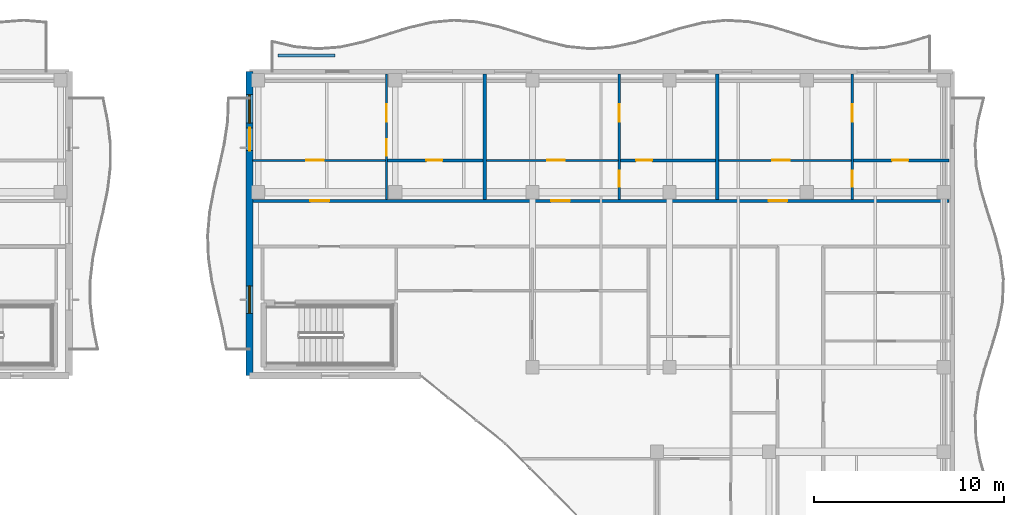
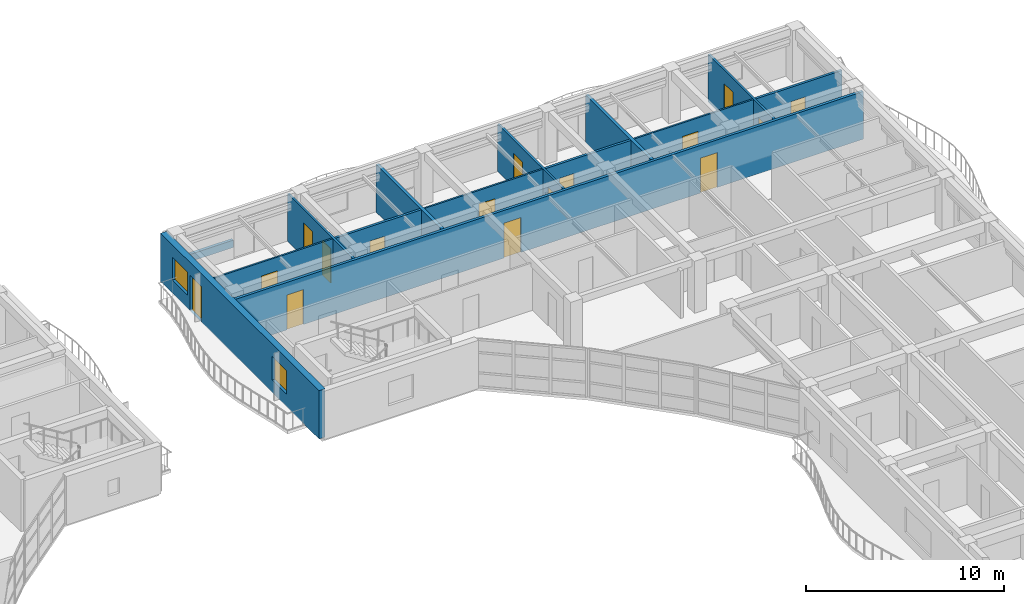
# One storey, part 62 of 89: 16 doors, 14 walls, 2 windows, 18 openings.
"""IFC4 building model written with IfcOpenShell, lengths in metres."""

from ifc_helpers import new_model, si_unit, direction, frame, frame_2d, origin, place, context, subcontext, project, spatial, rectangle, extrude, material, layer, layer_set, type_object, element, fill, save


model = new_model("IFC4")

# Units and contexts
model_context = context("Model", 3, precision=1e-05, world=origin(), true_north=direction((0.0, 1.0)))
body_context = subcontext(model_context, "Body", "Model", "MODEL_VIEW")
ifc_project = project(units=[si_unit("LENGTHUNIT", "METRE"), si_unit("AREAUNIT", "SQUARE_METRE"), si_unit("VOLUMEUNIT", "CUBIC_METRE"), si_unit("PLANEANGLEUNIT", "RADIAN"), si_unit("MASSUNIT", "GRAM", prefix="KILO")], contexts=[model_context])

# Site, building, storey
site_placement = place(None, origin())
site = spatial("IfcSite", under=ifc_project, at=site_placement, CompositionType="ELEMENT")
building_placement = place(site_placement, origin())
building = spatial("IfcBuilding", under=site, at=building_placement, Name="Keldmere Railside Commons", CompositionType="ELEMENT")
storey_placement = place(building_placement, frame((0.0, 0.0, 7.360107421875)))
storey = spatial("IfcBuildingStorey", under=building, at=storey_placement, Name="L02", CompositionType="ELEMENT", Elevation=7.360107421875)

# Walls
ifc_material_1 = material(Name="Acoustic Gypsum Board Partition", Category="gypsum")
ifc_layer_1 = layer(ifc_material_1, 0.179931640625, Name="Acoustic Demising Partition 180")
ifc_layer_set_1 = layer_set([ifc_layer_1], Name="Acoustic Gypsum Board Partition")
wall_type_1 = type_object("IfcWallType", Name="Acoustic Demising Partition 180", PredefinedType="PARTITIONING", material=ifc_layer_set_1)
for number, where, z_axis, x_axis, name in (
    (1, (159.389892578125, 109.280029296875, 0.0), (0.0, 0.0, 1.0), (0.0, 1.0, 0.0), "IW-1 IW-L02-1487"),
    (2, (171.610107421875, 109.280029296875, 0.0), (0.0, 0.0, 1.0), (0.0, 1.0, 0.0), "IW-1 IW-L02-1488"),
):
    element("IfcWall", number, at=place(storey_placement, frame(where, z_axis=z_axis, x_axis=x_axis)), inside=storey, type_object=wall_type_1, Name=name, PredefinedType="PARTITIONING", context=body_context, shape_type="SweptSolid", body=[
        extrude(rectangle(XDim=6.599853515625, YDim=0.179931640625, at=frame_2d((3.2998046875, 0.0))), origin(), (0.0, 0.0, 1.0), 2.934814453125),
    ])

# Wall, openings, doors
ifc_layer_2 = layer(ifc_material_1, 0.1201171875, Name="Apartment Interior Partition 120")
ifc_layer_set_2 = layer_set([ifc_layer_2], Name="Acoustic Gypsum Board Partition")
wall_type_2 = type_object("IfcWallType", Name="Apartment Interior Partition 120", PredefinedType="PARTITIONING", material=ifc_layer_set_2)
wall_1_placement = place(storey_placement, frame((154.2099609375, 109.280029296875, 0.0), z_axis=(0.0, 0.0, 1.0), x_axis=(0.0, 1.0, 0.0)))
wall_1 = element("IfcWall", 3, at=wall_1_placement, inside=storey, type_object=wall_type_2, Name="IW-4 IW-L02-1489", PredefinedType="PARTITIONING", context=body_context, shape_type="SweptSolid", body=[
    extrude(rectangle(XDim=6.599853515625, YDim=0.1201171875, at=frame_2d((3.2998046875, 0.0))), origin(), (0.0, 0.0, 1.0), 2.934814453125),
])
opening_1_placement = place(wall_1_placement, frame((2.305908203125, 0.0, 0.0)))
opening_1 = element("IfcOpeningElement", 4, at=opening_1_placement, cuts=wall_1, Name="Opening ID-04", PredefinedType="OPENING", context=body_context, shape_type="SweptSolid", body=[
    extrude(rectangle(XDim=0.860107421875, YDim=2.10009765625, at=frame_2d((0.43017578125, 1.050048828125))), frame((0.0, 0.070068359375, 0.0), z_axis=(0.0, -1.0, 0.0), x_axis=(1.0, 0.0, 0.0)), (0.0, 0.0, 1.0), 0.14013671875),
])
opening_2_placement = place(wall_1_placement, frame((4.097412109375, 0.0, 0.0)))
opening_2 = element("IfcOpeningElement", 5, at=opening_2_placement, cuts=wall_1, Name="Opening ID-01", PredefinedType="OPENING", context=body_context, shape_type="SweptSolid", body=[
    extrude(rectangle(XDim=0.89990234375, YDim=2.10009765625, at=frame_2d((0.449951171875, 1.050048828125))), frame((0.0, 0.070068359375, 0.0), z_axis=(0.0, -1.0, 0.0), x_axis=(1.0, 0.0, 0.0)), (0.0, 0.0, 1.0), 0.14013671875),
])
ifc_material_2 = material(Name="Engineered Oak Timber", Category="wood")
door_type_1 = type_object("IfcDoorType", Name="Apartment Bathroom Door 860x2100", OperationType="NOTDEFINED", PredefinedType="DOOR", material=ifc_material_2)
door_1_placement = place(opening_1_placement, origin())
door_1 = element("IfcDoor", 6, at=door_1_placement, inside=storey, type_object=door_type_1, Name="ID-04 IDR-L02-1335", OperationType="SINGLE_SWING_LEFT", OverallHeight=2.10009765625, OverallWidth=0.860107421875, PredefinedType="DOOR", context=body_context, shape_type="SweptSolid", body=[
    extrude(rectangle(XDim=0.860107421875, YDim=2.10009765625, at=frame_2d((0.43017578125, 1.050048828125))), frame((0.0, 0.02490234375, 0.0), z_axis=(0.0, -1.0, 0.0), x_axis=(1.0, 0.0, 0.0)), (0.0, 0.0, 1.0), 0.050048828125),
])
fill(opening_1, door_1)
door_type_2 = type_object("IfcDoorType", Name="Primary Bedroom Door 900x2100", OperationType="NOTDEFINED", PredefinedType="DOOR", material=ifc_material_2)
door_2_placement = place(opening_2_placement, origin())
door_2 = element("IfcDoor", 7, at=door_2_placement, inside=storey, type_object=door_type_2, Name="ID-01 IDR-L02-1336", OperationType="SINGLE_SWING_RIGHT", OverallHeight=2.10009765625, OverallWidth=0.89990234375, PredefinedType="DOOR", context=body_context, shape_type="SweptSolid", body=[
    extrude(rectangle(XDim=0.89990234375, YDim=2.10009765625, at=frame_2d((0.449951171875, 1.050048828125))), frame((0.0, 0.02490234375, 0.0), z_axis=(0.0, -1.0, 0.0), x_axis=(1.0, 0.0, 0.0)), (0.0, 0.0, 1.0), 0.050048828125),
])
fill(opening_2, door_2)

wall_2_placement = place(storey_placement, frame((166.4599609375, 109.280029296875, 0.0), z_axis=(0.0, 0.0, 1.0), x_axis=(0.0, 1.0, 0.0)))
wall_2 = element("IfcWall", 8, at=wall_2_placement, inside=storey, type_object=wall_type_2, Name="IW-4 IW-L02-1492", PredefinedType="PARTITIONING", context=body_context, shape_type="SweptSolid", body=[
    extrude(rectangle(XDim=6.599853515625, YDim=0.1201171875, at=frame_2d((3.2998046875, 0.0))), origin(), (0.0, 0.0, 1.0), 2.934814453125),
])
opening_3_placement = place(wall_2_placement, frame((0.656005859375, 0.0, 0.0)))
opening_3 = element("IfcOpeningElement", 9, at=opening_3_placement, cuts=wall_2, Name="Opening ID-04", PredefinedType="OPENING", context=body_context, shape_type="SweptSolid", body=[
    extrude(rectangle(XDim=0.860107421875, YDim=2.10009765625, at=frame_2d((0.43017578125, 1.050048828125))), frame((0.0, 0.070068359375, 0.0), z_axis=(0.0, -1.0, 0.0), x_axis=(1.0, 0.0, 0.0)), (0.0, 0.0, 1.0), 0.14013671875),
])
opening_4_placement = place(wall_2_placement, frame((4.097412109375, 0.0, 0.0)))
opening_4 = element("IfcOpeningElement", 10, at=opening_4_placement, cuts=wall_2, Name="Opening ID-01", PredefinedType="OPENING", context=body_context, shape_type="SweptSolid", body=[
    extrude(rectangle(XDim=0.89990234375, YDim=2.10009765625, at=frame_2d((0.449951171875, 1.050048828125))), frame((0.0, 0.070068359375, 0.0), z_axis=(0.0, -1.0, 0.0), x_axis=(1.0, 0.0, 0.0)), (0.0, 0.0, 1.0), 0.14013671875),
])
door_3_placement = place(opening_3_placement, origin())
door_3 = element("IfcDoor", 11, at=door_3_placement, inside=storey, type_object=door_type_1, Name="ID-04 IDR-L02-1340", OperationType="SINGLE_SWING_RIGHT", OverallHeight=2.10009765625, OverallWidth=0.860107421875, PredefinedType="DOOR", context=body_context, shape_type="SweptSolid", body=[
    extrude(rectangle(XDim=0.860107421875, YDim=2.10009765625, at=frame_2d((0.43017578125, 1.050048828125))), frame((0.0, 0.02490234375, 0.0), z_axis=(0.0, -1.0, 0.0), x_axis=(1.0, 0.0, 0.0)), (0.0, 0.0, 1.0), 0.050048828125),
])
fill(opening_3, door_3)
door_4_placement = place(opening_4_placement, origin())
door_4 = element("IfcDoor", 12, at=door_4_placement, inside=storey, type_object=door_type_2, Name="ID-01 IDR-L02-1341", OperationType="SINGLE_SWING_LEFT", OverallHeight=2.10009765625, OverallWidth=0.89990234375, PredefinedType="DOOR", context=body_context, shape_type="SweptSolid", body=[
    extrude(rectangle(XDim=0.89990234375, YDim=2.10009765625, at=frame_2d((0.449951171875, 1.050048828125))), frame((0.0, 0.02490234375, 0.0), z_axis=(0.0, -1.0, 0.0), x_axis=(1.0, 0.0, 0.0)), (0.0, 0.0, 1.0), 0.050048828125),
])
fill(opening_4, door_4)

wall_3_placement = place(storey_placement, frame((178.72998046875, 109.280029296875, 0.0), z_axis=(0.0, 0.0, 1.0), x_axis=(0.0, 1.0, 0.0)))
wall_3 = element("IfcWall", 13, at=wall_3_placement, inside=storey, type_object=wall_type_2, Name="IW-4 IW-L02-1495", PredefinedType="PARTITIONING", context=body_context, shape_type="SweptSolid", body=[
    extrude(rectangle(XDim=6.599853515625, YDim=0.1201171875, at=frame_2d((3.2998046875, 0.0))), origin(), (0.0, 0.0, 1.0), 2.934814453125),
])
opening_5_placement = place(wall_3_placement, frame((0.656005859375, 0.0, 0.0)))
opening_5 = element("IfcOpeningElement", 14, at=opening_5_placement, cuts=wall_3, Name="Opening ID-04", PredefinedType="OPENING", context=body_context, shape_type="SweptSolid", body=[
    extrude(rectangle(XDim=0.860107421875, YDim=2.10009765625, at=frame_2d((0.43017578125, 1.050048828125))), frame((0.0, 0.070068359375, 0.0), z_axis=(0.0, -1.0, 0.0), x_axis=(1.0, 0.0, 0.0)), (0.0, 0.0, 1.0), 0.14013671875),
])
opening_6_placement = place(wall_3_placement, frame((4.097412109375, 0.0, 0.0)))
opening_6 = element("IfcOpeningElement", 15, at=opening_6_placement, cuts=wall_3, Name="Opening ID-01", PredefinedType="OPENING", context=body_context, shape_type="SweptSolid", body=[
    extrude(rectangle(XDim=0.89990234375, YDim=2.10009765625, at=frame_2d((0.449951171875, 1.050048828125))), frame((0.0, 0.070068359375, 0.0), z_axis=(0.0, -1.0, 0.0), x_axis=(1.0, 0.0, 0.0)), (0.0, 0.0, 1.0), 0.14013671875),
])
door_5_placement = place(opening_5_placement, origin())
door_5 = element("IfcDoor", 16, at=door_5_placement, inside=storey, type_object=door_type_1, Name="ID-04 IDR-L02-1345", OperationType="SINGLE_SWING_LEFT", OverallHeight=2.10009765625, OverallWidth=0.860107421875, PredefinedType="DOOR", context=body_context, shape_type="SweptSolid", body=[
    extrude(rectangle(XDim=0.860107421875, YDim=2.10009765625, at=frame_2d((0.43017578125, 1.050048828125))), frame((0.0, 0.02490234375, 0.0), z_axis=(0.0, -1.0, 0.0), x_axis=(1.0, 0.0, 0.0)), (0.0, 0.0, 1.0), 0.050048828125),
])
fill(opening_5, door_5)
door_6_placement = place(opening_6_placement, origin())
door_6 = element("IfcDoor", 17, at=door_6_placement, inside=storey, type_object=door_type_2, Name="ID-01 IDR-L02-1346", OperationType="SINGLE_SWING_RIGHT", OverallHeight=2.10009765625, OverallWidth=0.89990234375, PredefinedType="DOOR", context=body_context, shape_type="SweptSolid", body=[
    extrude(rectangle(XDim=0.89990234375, YDim=2.10009765625, at=frame_2d((0.449951171875, 1.050048828125))), frame((0.0, 0.02490234375, 0.0), z_axis=(0.0, -1.0, 0.0), x_axis=(1.0, 0.0, 0.0)), (0.0, 0.0, 1.0), 0.050048828125),
])
fill(opening_6, door_6)

# Wall
ifc_material_3 = material(Name="White Precast Concrete H-35 (C35/45)", Category="concrete")
ifc_layer_3 = layer(ifc_material_3, 0.169921875, Name="Balcony Planter Kerb Wall 170")
ifc_layer_set_3 = layer_set([ifc_layer_3], Name="White Precast Concrete H-35 (C35/45)")
wall_type_3 = type_object("IfcWallType", Name="Balcony Planter Kerb Wall 170", PredefinedType="PARAPET", material=ifc_layer_set_3)
wall_4_placement = place(storey_placement, frame((148.5, 116.85009765625, 0.0), z_axis=(0.0, 0.0, 1.0), x_axis=(1.0, 0.0, 0.0)))
element("IfcWall", 18, at=wall_4_placement, inside=storey, type_object=wall_type_3, Name="PW-2 PKBA-L02-0895", PredefinedType="PARAPET", context=body_context, shape_type="SweptSolid", body=[
    extrude(rectangle(XDim=3.0, YDim=0.169921875, at=frame_2d((1.5, 0.0))), origin(), (0.0, 0.0, 1.0), 0.449951171875),
])

# Wall, opening, door
ifc_layer_4 = layer(ifc_material_1, 0.10009765625, Name="Closet Light Partition 100")
ifc_layer_set_4 = layer_set([ifc_layer_4], Name="Acoustic Gypsum Board Partition")
wall_type_4 = type_object("IfcWallType", Name="Closet Light Partition 100", PredefinedType="PARTITIONING", material=ifc_layer_set_4)
wall_5_placement = place(storey_placement, frame((147.179931640625, 111.330078125, 0.0), z_axis=(0.0, 0.0, 1.0), x_axis=(1.0, 0.0, 0.0)))
wall_5 = element("IfcWall", 19, at=wall_5_placement, inside=storey, type_object=wall_type_4, Name="IW-6 IW-L02-1491", PredefinedType="PARTITIONING", context=body_context, shape_type="SweptSolid", body=[
    extrude(rectangle(XDim=6.969970703125, YDim=0.10009765625, at=frame_2d((3.48486328125, 0.0))), origin(), (0.0, 0.0, 1.0), 2.934814453125),
])
opening_7_placement = place(wall_5_placement, frame((2.81201171875, 0.0, 0.0)))
opening_7 = element("IfcOpeningElement", 20, at=opening_7_placement, cuts=wall_5, Name="Opening ID-03", PredefinedType="OPENING", context=body_context, shape_type="SweptSolid", body=[
    extrude(rectangle(XDim=0.919921875, YDim=2.10009765625, at=frame_2d((0.4599609375, 1.050048828125))), frame((0.0, 0.06005859375, 0.0), z_axis=(0.0, -1.0, 0.0), x_axis=(1.0, 0.0, 0.0)), (0.0, 0.0, 1.0), 0.1201171875),
])
door_type_3 = type_object("IfcDoorType", Name="Kitchen Pocket-Frame Swing Door 920x2100", OperationType="NOTDEFINED", PredefinedType="DOOR", material=ifc_material_2)
door_7_placement = place(opening_7_placement, origin())
door_7 = element("IfcDoor", 21, at=door_7_placement, inside=storey, type_object=door_type_3, Name="ID-03 IDR-L02-1334", OperationType="SINGLE_SWING_RIGHT", OverallHeight=2.10009765625, OverallWidth=0.919921875, PredefinedType="DOOR", context=body_context, shape_type="SweptSolid", body=[
    extrude(rectangle(XDim=0.919921875, YDim=2.10009765625, at=frame_2d((0.4599609375, 1.050048828125))), frame((0.0, 0.02490234375, 0.0), z_axis=(0.0, -1.0, 0.0), x_axis=(1.0, 0.0, 0.0)), (0.0, 0.0, 1.0), 0.050048828125),
])
fill(opening_7, door_7)

wall_6_placement = place(storey_placement, frame((159.47998046875, 111.330078125, 0.0), z_axis=(0.0, 0.0, 1.0), x_axis=(1.0, 0.0, 0.0)))
wall_6 = element("IfcWall", 22, at=wall_6_placement, inside=storey, type_object=wall_type_4, Name="IW-6 IW-L02-1494", PredefinedType="PARTITIONING", context=body_context, shape_type="SweptSolid", body=[
    extrude(rectangle(XDim=6.919921875, YDim=0.10009765625, at=frame_2d((3.4599609375, 0.0))), origin(), (0.0, 0.0, 1.0), 2.934814453125),
])
opening_8_placement = place(wall_6_placement, frame((3.19189453125, 0.0, 0.0)))
opening_8 = element("IfcOpeningElement", 23, at=opening_8_placement, cuts=wall_6, Name="Opening ID-03", PredefinedType="OPENING", context=body_context, shape_type="SweptSolid", body=[
    extrude(rectangle(XDim=0.919921875, YDim=2.10009765625, at=frame_2d((0.4599609375, 1.050048828125))), frame((0.0, 0.06005859375, 0.0), z_axis=(0.0, -1.0, 0.0), x_axis=(1.0, 0.0, 0.0)), (0.0, 0.0, 1.0), 0.1201171875),
])
door_8_placement = place(opening_8_placement, origin())
door_8 = element("IfcDoor", 24, at=door_8_placement, inside=storey, type_object=door_type_3, Name="ID-03 IDR-L02-1339", OperationType="SINGLE_SWING_LEFT", OverallHeight=2.10009765625, OverallWidth=0.919921875, PredefinedType="DOOR", context=body_context, shape_type="SweptSolid", body=[
    extrude(rectangle(XDim=0.919921875, YDim=2.10009765625, at=frame_2d((0.4599609375, 1.050048828125))), frame((0.0, 0.02490234375, 0.0), z_axis=(0.0, -1.0, 0.0), x_axis=(1.0, 0.0, 0.0)), (0.0, 0.0, 1.0), 0.050048828125),
])
fill(opening_8, door_8)

wall_7_placement = place(storey_placement, frame((171.699951171875, 111.330078125, 0.0), z_axis=(0.0, 0.0, 1.0), x_axis=(1.0, 0.0, 0.0)))
wall_7 = element("IfcWall", 25, at=wall_7_placement, inside=storey, type_object=wall_type_4, Name="IW-6 IW-L02-1497", PredefinedType="PARTITIONING", context=body_context, shape_type="SweptSolid", body=[
    extrude(rectangle(XDim=6.969970703125, YDim=0.10009765625, at=frame_2d((3.48486328125, 0.0))), origin(), (0.0, 0.0, 1.0), 2.934814453125),
])
opening_9_placement = place(wall_7_placement, frame((2.81201171875, 0.0, 0.0)))
opening_9 = element("IfcOpeningElement", 26, at=opening_9_placement, cuts=wall_7, Name="Opening ID-03", PredefinedType="OPENING", context=body_context, shape_type="SweptSolid", body=[
    extrude(rectangle(XDim=0.919921875, YDim=2.10009765625, at=frame_2d((0.4599609375, 1.050048828125))), frame((0.0, 0.06005859375, 0.0), z_axis=(0.0, -1.0, 0.0), x_axis=(1.0, 0.0, 0.0)), (0.0, 0.0, 1.0), 0.1201171875),
])
door_9_placement = place(opening_9_placement, origin())
door_9 = element("IfcDoor", 27, at=door_9_placement, inside=storey, type_object=door_type_3, Name="ID-03 IDR-L02-1344", OperationType="SINGLE_SWING_RIGHT", OverallHeight=2.10009765625, OverallWidth=0.919921875, PredefinedType="DOOR", context=body_context, shape_type="SweptSolid", body=[
    extrude(rectangle(XDim=0.919921875, YDim=2.10009765625, at=frame_2d((0.4599609375, 1.050048828125))), frame((0.0, 0.02490234375, 0.0), z_axis=(0.0, -1.0, 0.0), x_axis=(1.0, 0.0, 0.0)), (0.0, 0.0, 1.0), 0.050048828125),
])
fill(opening_9, door_9)

# Wall, openings, doors
ifc_layer_5 = layer(ifc_material_1, 0.159912109375, Name="Corridor Fire Partition 160")
ifc_layer_set_5 = layer_set([ifc_layer_5], Name="Acoustic Gypsum Board Partition")
wall_type_5 = type_object("IfcWallType", Name="Corridor Fire Partition 160", PredefinedType="PARTITIONING", material=ifc_layer_set_5)
wall_8_placement = place(storey_placement, frame((147.179931640625, 109.199951171875, 0.0), z_axis=(0.0, 0.0, 1.0), x_axis=(1.0, 0.0, 0.0)))
wall_8 = element("IfcWall", 28, at=wall_8_placement, inside=storey, type_object=wall_type_5, Name="IW-2 IW-L02-1469", PredefinedType="PARTITIONING", context=body_context, shape_type="SweptSolid", body=[
    extrude(rectangle(XDim=36.64013671875, YDim=0.159912109375, at=frame_2d((18.320068359375, 0.0))), origin(), (0.0, 0.0, 1.0), 2.934814453125),
])
opening_10_placement = place(wall_8_placement, frame((3.02490234375, 0.0, 0.0)))
opening_10 = element("IfcOpeningElement", 29, at=opening_10_placement, cuts=wall_8, Name="Opening FD-7", PredefinedType="OPENING", context=body_context, shape_type="SweptSolid", body=[
    extrude(rectangle(XDim=0.97998046875, YDim=2.14990234375, at=frame_2d((0.489990234375, 1.074951171875))), frame((0.0, 0.08984375, 0.0), z_axis=(0.0, -1.0, 0.0), x_axis=(1.0, 0.0, 0.0)), (0.0, 0.0, 1.0), 0.179931640625),
])
opening_11_placement = place(wall_8_placement, frame((15.699951171875, 0.0, 0.0)))
opening_11 = element("IfcOpeningElement", 30, at=opening_11_placement, cuts=wall_8, Name="Opening FD-7", PredefinedType="OPENING", context=body_context, shape_type="SweptSolid", body=[
    extrude(rectangle(XDim=0.97998046875, YDim=2.14990234375, at=frame_2d((0.489990234375, 1.074951171875))), frame((0.0, 0.08984375, 0.0), z_axis=(0.0, -1.0, 0.0), x_axis=(1.0, 0.0, 0.0)), (0.0, 0.0, 1.0), 0.179931640625),
])
opening_12_placement = place(wall_8_placement, frame((27.14501953125, 0.0, 0.0)))
opening_12 = element("IfcOpeningElement", 31, at=opening_12_placement, cuts=wall_8, Name="Opening FD-7", PredefinedType="OPENING", context=body_context, shape_type="SweptSolid", body=[
    extrude(rectangle(XDim=0.97998046875, YDim=2.14990234375, at=frame_2d((0.489990234375, 1.074951171875))), frame((0.0, 0.08984375, 0.0), z_axis=(0.0, -1.0, 0.0), x_axis=(1.0, 0.0, 0.0)), (0.0, 0.0, 1.0), 0.179931640625),
])
door_type_4 = type_object("IfcDoorType", Name="Apartment Entrance Acoustic Fire Door 980x2150", OperationType="NOTDEFINED", PredefinedType="DOOR", material=ifc_material_2)
door_10_placement = place(opening_10_placement, origin())
door_10 = element("IfcDoor", 32, at=door_10_placement, inside=storey, type_object=door_type_4, Name="FD-7 IDR-L02-1333", OperationType="SINGLE_SWING_LEFT", OverallHeight=2.14990234375, OverallWidth=0.97998046875, PredefinedType="DOOR", context=body_context, shape_type="SweptSolid", body=[
    extrude(rectangle(XDim=0.97998046875, YDim=2.14990234375, at=frame_2d((0.489990234375, 1.074951171875))), frame((0.0, 0.02490234375, 0.0), z_axis=(0.0, -1.0, 0.0), x_axis=(1.0, 0.0, 0.0)), (0.0, 0.0, 1.0), 0.050048828125),
])
fill(opening_10, door_10)
door_11_placement = place(opening_11_placement, origin())
door_11 = element("IfcDoor", 33, at=door_11_placement, inside=storey, type_object=door_type_4, Name="FD-7 IDR-L02-1338", OperationType="SINGLE_SWING_RIGHT", OverallHeight=2.14990234375, OverallWidth=0.97998046875, PredefinedType="DOOR", context=body_context, shape_type="SweptSolid", body=[
    extrude(rectangle(XDim=0.97998046875, YDim=2.14990234375, at=frame_2d((0.489990234375, 1.074951171875))), frame((0.0, 0.02490234375, 0.0), z_axis=(0.0, -1.0, 0.0), x_axis=(1.0, 0.0, 0.0)), (0.0, 0.0, 1.0), 0.050048828125),
])
fill(opening_11, door_11)
door_12_placement = place(opening_12_placement, origin())
door_12 = element("IfcDoor", 34, at=door_12_placement, inside=storey, type_object=door_type_4, Name="FD-7 IDR-L02-1343", OperationType="SINGLE_SWING_LEFT", OverallHeight=2.14990234375, OverallWidth=0.97998046875, PredefinedType="DOOR", context=body_context, shape_type="SweptSolid", body=[
    extrude(rectangle(XDim=0.97998046875, YDim=2.14990234375, at=frame_2d((0.489990234375, 1.074951171875))), frame((0.0, 0.02490234375, 0.0), z_axis=(0.0, -1.0, 0.0), x_axis=(1.0, 0.0, 0.0)), (0.0, 0.0, 1.0), 0.050048828125),
])
fill(opening_12, door_12)

# Wall, openings, door, windows
ifc_material_4 = material(Name="Concrete H-35 (C35/45)", Category="concrete")
ifc_layer_6 = layer(ifc_material_4, 0.360107421875, Name="Exterior Shear Wall 360")
ifc_layer_set_6 = layer_set([ifc_layer_6], Name="Concrete H-35 (C35/45)")
wall_type_6 = type_object("IfcWallType", Name="Exterior Shear Wall 360", PredefinedType="SHEAR", material=ifc_layer_set_6)
wall_9_placement = place(storey_placement, frame((147.0, 100.0, 0.0), z_axis=(0.0, 0.0, 1.0), x_axis=(0.0, 1.0, 0.0)))
wall_9 = element("IfcWall", 35, at=wall_9_placement, inside=storey, type_object=wall_type_6, Name="ESW-1 EXTA-L02-0892", PredefinedType="SHEAR", context=body_context, shape_type="SweptSolid", body=[
    extrude(rectangle(XDim=16.0, YDim=0.360107421875, at=frame_2d((8.0, 0.0))), origin(), (0.0, 0.0, 1.0), 2.97998046875),
])
opening_13_placement = place(wall_9_placement, frame((3.27490234375, 0.0, 0.77001953125)))
opening_13 = element("IfcOpeningElement", 36, at=opening_13_placement, cuts=wall_9, Name="Opening WN-24", PredefinedType="OPENING", context=body_context, shape_type="SweptSolid", body=[
    extrude(rectangle(XDim=1.449951171875, YDim=1.449951171875, at=frame_2d((0.72509765625, 0.72509765625))), frame((0.0, 0.18994140625, 0.0), z_axis=(0.0, -1.0, 0.0), x_axis=(1.0, 0.0, 0.0)), (0.0, 0.0, 1.0), 0.380126953125),
])
opening_14_placement = place(wall_9_placement, frame((11.85009765625, 0.0, 0.0)))
opening_14 = element("IfcOpeningElement", 37, at=opening_14_placement, cuts=wall_9, Name="Opening BD-01", PredefinedType="OPENING", context=body_context, shape_type="SweptSolid", body=[
    extrude(rectangle(XDim=1.199951171875, YDim=2.199951171875, at=frame_2d((0.60009765625, 1.10009765625))), frame((0.0, 0.18994140625, 0.0), z_axis=(0.0, -1.0, 0.0), x_axis=(1.0, 0.0, 0.0)), (0.0, 0.0, 1.0), 0.380126953125),
])
opening_15_placement = place(wall_9_placement, frame((13.300048828125, 0.0, 0.820068359375)))
opening_15 = element("IfcOpeningElement", 38, at=opening_15_placement, cuts=wall_9, Name="Opening WN-06", PredefinedType="OPENING", context=body_context, shape_type="SweptSolid", body=[
    extrude(rectangle(XDim=1.5, YDim=1.39990234375, at=frame_2d((0.75, 0.699951171875))), frame((0.0, 0.18994140625, 0.0), z_axis=(0.0, -1.0, 0.0), x_axis=(1.0, 0.0, 0.0)), (0.0, 0.0, 1.0), 0.380126953125),
])
ifc_material_5 = material(Name="Thermally Broken Aluminium", Category="aluminium")
door_type_5 = type_object("IfcDoorType", Name="Apartment Living Wave-Balcony Glazed Door 1200x2200", OperationType="NOTDEFINED", PredefinedType="DOOR", material=ifc_material_5)
door_13_placement = place(opening_14_placement, origin())
door_13 = element("IfcDoor", 39, at=door_13_placement, inside=storey, type_object=door_type_5, Name="BD-01 DR-L02-0230", OperationType="SINGLE_SWING_RIGHT", OverallHeight=2.199951171875, OverallWidth=1.199951171875, PredefinedType="DOOR", context=body_context, shape_type="SweptSolid", body=[
    extrude(rectangle(XDim=1.199951171875, YDim=2.199951171875, at=frame_2d((0.60009765625, 1.10009765625))), frame((0.0, 0.02490234375, 0.0), z_axis=(0.0, -1.0, 0.0), x_axis=(1.0, 0.0, 0.0)), (0.0, 0.0, 1.0), 0.050048828125),
])
fill(opening_14, door_13)
ifc_material_6 = material(Name="Low-E Insulated Double Glazing", Category="glass")
window_type_1 = type_object("IfcWindowType", Name="Primary Bedroom North Window 1500x1400", PartitioningType="SINGLE_PANEL", PredefinedType="WINDOW", material=ifc_material_6)
window_1_placement = place(opening_15_placement, origin())
window_1 = element("IfcWindow", 40, at=window_1_placement, inside=storey, type_object=window_type_1, Name="WN-06 WIN-L02-0617", OverallHeight=1.39990234375, OverallWidth=1.5, PartitioningType="SINGLE_PANEL", PredefinedType="WINDOW", context=body_context, shape_type="SweptSolid", body=[
    extrude(rectangle(XDim=1.5, YDim=1.39990234375, at=frame_2d((0.75, 0.699951171875))), frame((0.0, 0.030029296875, 0.0), z_axis=(0.0, -1.0, 0.0), x_axis=(1.0, 0.0, 0.0)), (0.0, 0.0, 1.0), 0.06005859375),
])
fill(opening_15, window_1)
window_type_2 = type_object("IfcWindowType", Name="Setback Terrace Bedroom Window 1450x1450", PartitioningType="SINGLE_PANEL", PredefinedType="WINDOW", material=ifc_material_6)
window_2_placement = place(opening_13_placement, origin())
window_2 = element("IfcWindow", 41, at=window_2_placement, inside=storey, type_object=window_type_2, Name="WN-24 WIN-L02-0616", OverallHeight=1.449951171875, OverallWidth=1.449951171875, PartitioningType="SINGLE_PANEL", PredefinedType="WINDOW", context=body_context, shape_type="SweptSolid", body=[
    extrude(rectangle(XDim=1.449951171875, YDim=1.449951171875, at=frame_2d((0.72509765625, 0.72509765625))), frame((0.0, 0.030029296875, 0.0), z_axis=(0.0, -1.0, 0.0), x_axis=(1.0, 0.0, 0.0)), (0.0, 0.0, 1.0), 0.06005859375),
])
fill(opening_13, window_2)

# Wall, opening, door
ifc_layer_7 = layer(ifc_material_1, 0.139892578125, Name="Wet-Room Sanitary Partition 140")
ifc_layer_set_7 = layer_set([ifc_layer_7], Name="Acoustic Gypsum Board Partition")
wall_type_7 = type_object("IfcWallType", Name="Wet-Room Sanitary Partition 140", PredefinedType="PARTITIONING", material=ifc_layer_set_7)
wall_10_placement = place(storey_placement, frame((154.27001953125, 111.330078125, 0.0), z_axis=(0.0, 0.0, 1.0), x_axis=(1.0, 0.0, 0.0)))
wall_10 = element("IfcWall", 42, at=wall_10_placement, inside=storey, type_object=wall_type_7, Name="IW-5 IW-L02-1490", PredefinedType="PARTITIONING", context=body_context, shape_type="SweptSolid", body=[
    extrude(rectangle(XDim=5.030029296875, YDim=0.139892578125, at=frame_2d((2.51513671875, 0.0))), origin(), (0.0, 0.0, 1.0), 2.934814453125),
])
opening_16_placement = place(wall_10_placement, frame((2.035888671875, 0.0, 0.0)))
opening_16 = element("IfcOpeningElement", 43, at=opening_16_placement, cuts=wall_10, Name="Opening ID-06", PredefinedType="OPENING", context=body_context, shape_type="SweptSolid", body=[
    extrude(rectangle(XDim=0.85009765625, YDim=2.050048828125, at=frame_2d((0.425048828125, 1.02490234375))), frame((0.0, 0.079833984375, 0.0), z_axis=(0.0, -1.0, 0.0), x_axis=(1.0, 0.0, 0.0)), (0.0, 0.0, 1.0), 0.159912109375),
])
door_type_6 = type_object("IfcDoorType", Name="Storage Closet Door 850x2050", OperationType="NOTDEFINED", PredefinedType="DOOR", material=ifc_material_2)
door_14_placement = place(opening_16_placement, origin())
door_14 = element("IfcDoor", 44, at=door_14_placement, inside=storey, type_object=door_type_6, Name="ID-06 IDR-L02-1337", OperationType="SINGLE_SWING_LEFT", OverallHeight=2.050048828125, OverallWidth=0.85009765625, PredefinedType="DOOR", context=body_context, shape_type="SweptSolid", body=[
    extrude(rectangle(XDim=0.85009765625, YDim=2.050048828125, at=frame_2d((0.425048828125, 1.02490234375))), frame((0.0, 0.02490234375, 0.0), z_axis=(0.0, -1.0, 0.0), x_axis=(1.0, 0.0, 0.0)), (0.0, 0.0, 1.0), 0.050048828125),
])
fill(opening_16, door_14)

wall_11_placement = place(storey_placement, frame((166.52001953125, 111.330078125, 0.0), z_axis=(0.0, 0.0, 1.0), x_axis=(1.0, 0.0, 0.0)))
wall_11 = element("IfcWall", 45, at=wall_11_placement, inside=storey, type_object=wall_type_7, Name="IW-5 IW-L02-1493", PredefinedType="PARTITIONING", context=body_context, shape_type="SweptSolid", body=[
    extrude(rectangle(XDim=5.0, YDim=0.139892578125, at=frame_2d((2.5, 0.0))), origin(), (0.0, 0.0, 1.0), 2.934814453125),
])
opening_17_placement = place(wall_11_placement, frame((0.823974609375, 0.0, 0.0)))
opening_17 = element("IfcOpeningElement", 46, at=opening_17_placement, cuts=wall_11, Name="Opening ID-06", PredefinedType="OPENING", context=body_context, shape_type="SweptSolid", body=[
    extrude(rectangle(XDim=0.85009765625, YDim=2.050048828125, at=frame_2d((0.425048828125, 1.02490234375))), frame((0.0, 0.079833984375, 0.0), z_axis=(0.0, -1.0, 0.0), x_axis=(1.0, 0.0, 0.0)), (0.0, 0.0, 1.0), 0.159912109375),
])
door_15_placement = place(opening_17_placement, origin())
door_15 = element("IfcDoor", 47, at=door_15_placement, inside=storey, type_object=door_type_6, Name="ID-06 IDR-L02-1342", OperationType="SINGLE_SWING_RIGHT", OverallHeight=2.050048828125, OverallWidth=0.85009765625, PredefinedType="DOOR", context=body_context, shape_type="SweptSolid", body=[
    extrude(rectangle(XDim=0.85009765625, YDim=2.050048828125, at=frame_2d((0.425048828125, 1.02490234375))), frame((0.0, 0.02490234375, 0.0), z_axis=(0.0, -1.0, 0.0), x_axis=(1.0, 0.0, 0.0)), (0.0, 0.0, 1.0), 0.050048828125),
])
fill(opening_17, door_15)

wall_12_placement = place(storey_placement, frame((178.7900390625, 111.330078125, 0.0), z_axis=(0.0, 0.0, 1.0), x_axis=(1.0, 0.0, 0.0)))
wall_12 = element("IfcWall", 48, at=wall_12_placement, inside=storey, type_object=wall_type_7, Name="IW-5 IW-L02-1496", PredefinedType="PARTITIONING", context=body_context, shape_type="SweptSolid", body=[
    extrude(rectangle(XDim=5.030029296875, YDim=0.139892578125, at=frame_2d((2.51513671875, 0.0))), origin(), (0.0, 0.0, 1.0), 2.934814453125),
])
opening_18_placement = place(wall_12_placement, frame((2.035888671875, 0.0, 0.0)))
opening_18 = element("IfcOpeningElement", 49, at=opening_18_placement, cuts=wall_12, Name="Opening ID-06", PredefinedType="OPENING", context=body_context, shape_type="SweptSolid", body=[
    extrude(rectangle(XDim=0.85009765625, YDim=2.050048828125, at=frame_2d((0.425048828125, 1.02490234375))), frame((0.0, 0.079833984375, 0.0), z_axis=(0.0, -1.0, 0.0), x_axis=(1.0, 0.0, 0.0)), (0.0, 0.0, 1.0), 0.159912109375),
])
door_16_placement = place(opening_18_placement, origin())
door_16 = element("IfcDoor", 50, at=door_16_placement, inside=storey, type_object=door_type_6, Name="ID-06 IDR-L02-1347", OperationType="SINGLE_SWING_LEFT", OverallHeight=2.050048828125, OverallWidth=0.85009765625, PredefinedType="DOOR", context=body_context, shape_type="SweptSolid", body=[
    extrude(rectangle(XDim=0.85009765625, YDim=2.050048828125, at=frame_2d((0.425048828125, 1.02490234375))), frame((0.0, 0.02490234375, 0.0), z_axis=(0.0, -1.0, 0.0), x_axis=(1.0, 0.0, 0.0)), (0.0, 0.0, 1.0), 0.050048828125),
])
fill(opening_18, door_16)

save(model, "model.ifc")
